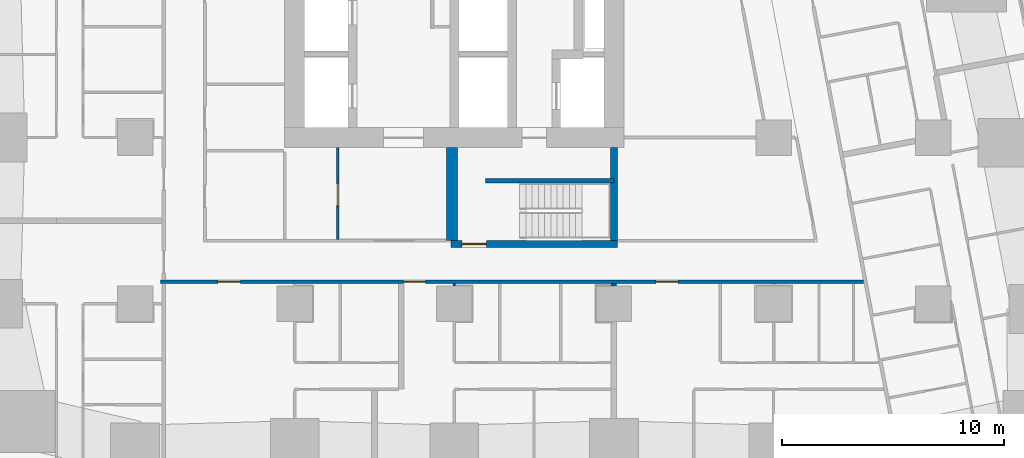
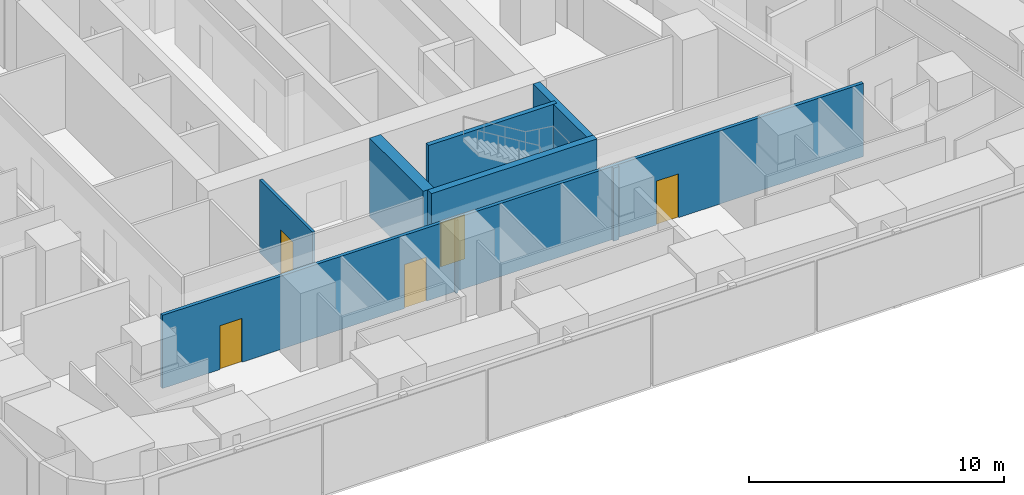
# One storey, part 4 of 17: 8 walls, 5 doors, 5 openings.
"""IFC4 building model written with IfcOpenShell, lengths in metres."""

from ifc_helpers import new_model, si_unit, direction, frame, frame_2d, origin, place, context, subcontext, project, spatial, rectangle, extrude, material, layer, layer_set, type_object, element, fill, save


model = new_model("IFC4")

# Units and contexts
model_context = context("Model", 3, precision=1e-05, world=origin(), true_north=direction((0.0, 1.0)))
body_context = subcontext(model_context, "Body", "Model", "MODEL_VIEW")
ifc_project = project(units=[si_unit("LENGTHUNIT", "METRE"), si_unit("AREAUNIT", "SQUARE_METRE"), si_unit("VOLUMEUNIT", "CUBIC_METRE"), si_unit("PLANEANGLEUNIT", "RADIAN"), si_unit("MASSUNIT", "GRAM", prefix="KILO")], contexts=[model_context])

# Site, building, storey
site_placement = place(None, origin())
site = spatial("IfcSite", under=ifc_project, at=site_placement, CompositionType="ELEMENT")
building_placement = place(site_placement, origin())
building = spatial("IfcBuilding", under=site, at=building_placement, Name="Sheger Commons Tower", CompositionType="ELEMENT")
storey_placement = place(building_placement, frame((0.0, 0.0, 115.39990234375)))
storey = spatial("IfcBuildingStorey", under=building, at=storey_placement, Name="L29", CompositionType="ELEMENT", Elevation=115.39990234375)

# Wall, openings, doors
ifc_material_1 = material(Name="Hollow concrete block masonry, skimmed both sides", Category="masonry")
ifc_layer_1 = layer(ifc_material_1, 0.14990234375)
ifc_layer_set_1 = layer_set([ifc_layer_1], Name="CORRIDOR WALL 150")
wall_type_1 = type_object("IfcWallType", Name="CORRIDOR WALL 150", PredefinedType="SOLIDWALL", material=ifc_layer_set_1)
wall_1_placement = place(storey_placement, frame((40.052978515625, 8.5, 0.0), z_axis=(0.0, 0.0, 1.0), x_axis=(-1.0, 0.0, 0.0)))
wall_1 = element("IfcWall", 1, at=wall_1_placement, inside=storey, type_object=wall_type_1, Name="Corridor wall L29", PredefinedType="SOLIDWALL", context=body_context, shape_type="SweptSolid", body=[
    extrude(rectangle(XDim=31.702880859375, YDim=0.14990234375, at=frame_2d((15.8515625, 0.0))), origin(), (0.0, 0.0, 1.0), 3.5),
])
opening_1_placement = place(wall_1_placement, frame((28.10302734375, 0.0, 0.0)))
opening_1 = element("IfcOpeningElement", 2, at=opening_1_placement, cuts=wall_1, Name="Opening D1", PredefinedType="OPENING", context=body_context, shape_type="SweptSolid", body=[
    extrude(rectangle(XDim=1.0, YDim=2.10009765625, at=frame_2d((0.5, 1.050048828125))), frame((0.0, 0.0849609375, 0.0), z_axis=(0.0, -1.0, 0.0), x_axis=(1.0, 0.0, 0.0)), (0.0, 0.0, 1.0), 0.169921875),
])
opening_2_placement = place(wall_1_placement, frame((19.75390625, 0.0, 0.0)))
opening_2 = element("IfcOpeningElement", 3, at=opening_2_placement, cuts=wall_1, Name="Opening D1", PredefinedType="OPENING", context=body_context, shape_type="SweptSolid", body=[
    extrude(rectangle(XDim=1.0, YDim=2.10009765625, at=frame_2d((0.5, 1.050048828125))), frame((0.0, 0.0849609375, 0.0), z_axis=(0.0, -1.0, 0.0), x_axis=(1.0, 0.0, 0.0)), (0.0, 0.0, 1.0), 0.169921875),
])
opening_3_placement = place(wall_1_placement, frame((8.35302734375, 0.0, 0.0)))
opening_3 = element("IfcOpeningElement", 4, at=opening_3_placement, cuts=wall_1, Name="Opening D1", PredefinedType="OPENING", context=body_context, shape_type="SweptSolid", body=[
    extrude(rectangle(XDim=1.0, YDim=2.10009765625, at=frame_2d((0.5, 1.050048828125))), frame((0.0, 0.0849609375, 0.0), z_axis=(0.0, -1.0, 0.0), x_axis=(1.0, 0.0, 0.0)), (0.0, 0.0, 1.0), 0.169921875),
])
ifc_material_2 = material(Name="Steel door set, fire rated", Category="steel")
door_type_1 = type_object("IfcDoorType", Name="FLAT ENTRANCE DOOR 1000x2100", OperationType="NOTDEFINED", PredefinedType="DOOR", material=ifc_material_2)
door_1_placement = place(opening_1_placement, origin())
door_1 = element("IfcDoor", 5, at=door_1_placement, inside=storey, type_object=door_type_1, Name="Flat entrance door", OperationType="SINGLE_SWING_RIGHT", OverallHeight=2.10009765625, OverallWidth=1.0, PredefinedType="DOOR", context=body_context, shape_type="SweptSolid", body=[
    extrude(rectangle(XDim=1.0, YDim=2.10009765625, at=frame_2d((0.5, 1.050048828125))), frame((0.0, 0.02490234375, 0.0), z_axis=(0.0, -1.0, 0.0), x_axis=(1.0, 0.0, 0.0)), (0.0, 0.0, 1.0), 0.050048828125),
])
fill(opening_1, door_1)
door_2_placement = place(opening_2_placement, origin())
door_2 = element("IfcDoor", 6, at=door_2_placement, inside=storey, type_object=door_type_1, Name="Flat entrance door", OperationType="SINGLE_SWING_RIGHT", OverallHeight=2.10009765625, OverallWidth=1.0, PredefinedType="DOOR", context=body_context, shape_type="SweptSolid", body=[
    extrude(rectangle(XDim=1.0, YDim=2.10009765625, at=frame_2d((0.5, 1.050048828125))), frame((0.0, 0.02490234375, 0.0), z_axis=(0.0, -1.0, 0.0), x_axis=(1.0, 0.0, 0.0)), (0.0, 0.0, 1.0), 0.050048828125),
])
fill(opening_2, door_2)
door_3_placement = place(opening_3_placement, origin())
door_3 = element("IfcDoor", 7, at=door_3_placement, inside=storey, type_object=door_type_1, Name="Flat entrance door", OperationType="SINGLE_SWING_RIGHT", OverallHeight=2.10009765625, OverallWidth=1.0, PredefinedType="DOOR", context=body_context, shape_type="SweptSolid", body=[
    extrude(rectangle(XDim=1.0, YDim=2.10009765625, at=frame_2d((0.5, 1.050048828125))), frame((0.0, 0.02490234375, 0.0), z_axis=(0.0, -1.0, 0.0), x_axis=(1.0, 0.0, 0.0)), (0.0, 0.0, 1.0), 0.050048828125),
])
fill(opening_3, door_3)

# Walls
ifc_material_3 = material(Name="Dense concrete block masonry, plastered both sides (separating wall between flats)", Category="masonry")
ifc_layer_2 = layer(ifc_material_3, 0.25)
ifc_layer_set_2 = layer_set([ifc_layer_2], Name="DEMISING WALL 250")
wall_type_2 = type_object("IfcWallType", Name="DEMISING WALL 250", PredefinedType="SOLIDWALL", material=ifc_layer_set_2)
wall_2_placement = place(storey_placement, frame((28.800048828125, 8.301025390625, 0.0), z_axis=(0.0, 0.0, 1.0), x_axis=(0.0, 1.0, 0.0)))
element("IfcWall", 8, at=wall_2_placement, inside=storey, type_object=wall_type_2, Name="Demising wall L29", PredefinedType="SOLIDWALL", context=body_context, shape_type="SweptSolid", body=[
    extrude(rectangle(XDim=0.1240234375, YDim=0.25, at=frame_2d((0.06201171875, 0.0))), origin(), (0.0, 0.0, 1.0), 3.5),
])
ifc_material_4 = material(Name="Gypsum board on steel studs", Category="steel")
ifc_layer_3 = layer(ifc_material_4, 0.10009765625)
ifc_layer_set_3 = layer_set([ifc_layer_3], Name="PARTITION 100")
wall_type_3 = type_object("IfcWallType", Name="PARTITION 100", PredefinedType="PARTITIONING", material=ifc_layer_set_3)
wall_3_placement = place(storey_placement, frame((21.60009765625, 8.301025390625, 0.0), z_axis=(0.0, 0.0, 1.0), x_axis=(0.0, 1.0, 0.0)))
element("IfcWall", 9, at=wall_3_placement, inside=storey, type_object=wall_type_3, Name="Partition L29", PredefinedType="PARTITIONING", context=body_context, shape_type="SweptSolid", body=[
    extrude(rectangle(XDim=0.1240234375, YDim=0.10009765625, at=frame_2d((0.06201171875, 0.0))), origin(), (0.0, 0.0, 1.0), 3.5),
])

# Wall, opening, door
ifc_material_5 = material(Name="Gypsum board on steel studs, two layers each side, fire rated", Category="steel")
ifc_layer_4 = layer(ifc_material_5, 0.125)
ifc_layer_set_4 = layer_set([ifc_layer_4], Name="SERVICE WALL 125")
wall_type_4 = type_object("IfcWallType", Name="SERVICE WALL 125", PredefinedType="PARTITIONING", material=ifc_layer_set_4)
wall_4_placement = place(storey_placement, frame((16.340087890625, 10.4130859375, 0.0), z_axis=(0.0, 0.0, 1.0), x_axis=(0.0, 1.0, 0.0)))
wall_4 = element("IfcWall", 10, at=wall_4_placement, inside=storey, type_object=wall_type_4, Name="Service room wall L29", PredefinedType="PARTITIONING", context=body_context, shape_type="SweptSolid", body=[
    extrude(rectangle(XDim=4.136962890625, YDim=0.125, at=frame_2d((2.068359375, 0.0))), origin(), (0.0, 0.0, 1.0), 3.5),
])
opening_4_placement = place(wall_4_placement, frame((1.511962890625, 0.0, 0.0)))
opening_4 = element("IfcOpeningElement", 11, at=opening_4_placement, cuts=wall_4, Name="Opening D4", PredefinedType="OPENING", context=body_context, shape_type="SweptSolid", body=[
    extrude(rectangle(XDim=1.0, YDim=2.10009765625, at=frame_2d((0.5, 1.050048828125))), frame((0.0, 0.072509765625, 0.0), z_axis=(0.0, -1.0, 0.0), x_axis=(1.0, 0.0, 0.0)), (0.0, 0.0, 1.0), 0.14501953125),
])
ifc_material_6 = material(Name="Steel door set, fire rated", Category="steel")
door_type_2 = type_object("IfcDoorType", Name="SERVICE DOOR 1000x2100", OperationType="NOTDEFINED", PredefinedType="DOOR", material=ifc_material_6)
door_4_placement = place(opening_4_placement, origin())
door_4 = element("IfcDoor", 12, at=door_4_placement, inside=storey, type_object=door_type_2, Name="Electrical room door", OperationType="SINGLE_SWING_LEFT", OverallHeight=2.10009765625, OverallWidth=1.0, PredefinedType="DOOR", context=body_context, shape_type="SweptSolid", body=[
    extrude(rectangle(XDim=1.0, YDim=2.10009765625, at=frame_2d((0.5, 1.050048828125))), frame((0.0, 0.02490234375, 0.0), z_axis=(0.0, -1.0, 0.0), x_axis=(1.0, 0.0, 0.0)), (0.0, 0.0, 1.0), 0.050048828125),
])
fill(opening_4, door_4)

ifc_material_7 = material(Name="Concrete C50/60", Category="concrete")
ifc_layer_5 = layer(ifc_material_7, 0.300048828125)
ifc_layer_set_5 = layer_set([ifc_layer_5], Name="STAIR CORE WALL 300")
wall_type_5 = type_object("IfcWallType", Name="STAIR CORE WALL 300", PredefinedType="SHEAR", material=ifc_layer_set_5)
wall_5_placement = place(storey_placement, frame((21.449951171875, 10.199951171875, 0.0), z_axis=(0.0, 0.0, 1.0), x_axis=(1.0, 0.0, 0.0)))
wall_5 = element("IfcWall", 13, at=wall_5_placement, inside=storey, type_object=wall_type_5, Name="STW-L29-S1S", PredefinedType="SHEAR", context=body_context, shape_type="SweptSolid", body=[
    extrude(rectangle(XDim=7.5, YDim=0.300048828125, at=frame_2d((3.75, 0.0))), origin(), (0.0, 0.0, 1.0), 3.75),
])
opening_5_placement = place(wall_5_placement, frame((0.5, 0.0, 0.0)))
opening_5 = element("IfcOpeningElement", 14, at=opening_5_placement, cuts=wall_5, Name="Opening D5", PredefinedType="OPENING", context=body_context, shape_type="SweptSolid", body=[
    extrude(rectangle(XDim=1.10009765625, YDim=2.10009765625, at=frame_2d((0.550048828125, 1.050048828125))), frame((0.0, 0.159912109375, 0.0), z_axis=(0.0, -1.0, 0.0), x_axis=(1.0, 0.0, 0.0)), (0.0, 0.0, 1.0), 0.320068359375),
])
ifc_material_8 = material(Name="Steel door set, fire rated", Category="steel")
door_type_3 = type_object("IfcDoorType", Name="STAIR DOOR 1100x2100", OperationType="NOTDEFINED", PredefinedType="DOOR", material=ifc_material_8)
door_5_placement = place(opening_5_placement, origin())
door_5 = element("IfcDoor", 15, at=door_5_placement, inside=storey, type_object=door_type_3, Name="Stair S1 door", OperationType="SINGLE_SWING_LEFT", OverallHeight=2.10009765625, OverallWidth=1.10009765625, PredefinedType="DOOR", context=body_context, shape_type="SweptSolid", body=[
    extrude(rectangle(XDim=1.10009765625, YDim=2.10009765625, at=frame_2d((0.550048828125, 1.050048828125))), frame((0.0, 0.02490234375, 0.0), z_axis=(0.0, -1.0, 0.0), x_axis=(1.0, 0.0, 0.0)), (0.0, 0.0, 1.0), 0.050048828125),
])
fill(opening_5, door_5)

# Walls
wall_6_placement = place(storey_placement, frame((28.800048828125, 10.35009765625, 0.0), z_axis=(0.0, 0.0, 1.0), x_axis=(0.0, 1.0, 0.0)))
element("IfcWall", 16, at=wall_6_placement, inside=storey, type_object=wall_type_5, Name="STW-L29-S1E", PredefinedType="SHEAR", context=body_context, shape_type="SweptSolid", body=[
    extrude(rectangle(XDim=4.199951171875, YDim=0.300048828125, at=frame_2d((2.10009765625, 0.0))), origin(), (0.0, 0.0, 1.0), 3.75),
])
ifc_material_9 = material(Name="Concrete C50/60", Category="concrete")
ifc_layer_6 = layer(ifc_material_9, 0.5)
ifc_layer_set_6 = layer_set([ifc_layer_6], Name="STAIR CORE WALL 500")
wall_type_6 = type_object("IfcWallType", Name="STAIR CORE WALL 500", PredefinedType="SHEAR", material=ifc_layer_set_6)
wall_7_placement = place(storey_placement, frame((21.5, 10.35009765625, 0.0), z_axis=(0.0, 0.0, 1.0), x_axis=(0.0, 1.0, 0.0)))
element("IfcWall", 17, at=wall_7_placement, inside=storey, type_object=wall_type_6, Name="STW-L29-S1W", PredefinedType="SHEAR", context=body_context, shape_type="SweptSolid", body=[
    extrude(rectangle(XDim=4.199951171875, YDim=0.5, at=frame_2d((2.10009765625, 0.0))), origin(), (0.0, 0.0, 1.0), 3.75),
])
ifc_material_10 = material(Name="Concrete C50/60", Category="concrete")
ifc_layer_7 = layer(ifc_material_10, 0.199951171875)
ifc_layer_set_7 = layer_set([ifc_layer_7], Name="STAIR SPINE WALL 200")
wall_type_7 = type_object("IfcWallType", Name="STAIR SPINE WALL 200", PredefinedType="SHEAR", material=ifc_layer_set_7)
wall_8_placement = place(storey_placement, frame((23.0, 13.050048828125, 0.0), z_axis=(0.0, 0.0, 1.0), x_axis=(1.0, 0.0, 0.0)))
element("IfcWall", 18, at=wall_8_placement, inside=storey, type_object=wall_type_7, Name="Stair spine wall L29", PredefinedType="SHEAR", context=body_context, shape_type="SweptSolid", body=[
    extrude(rectangle(XDim=5.800048828125, YDim=0.199951171875, at=frame_2d((2.89990234375, 0.0))), origin(), (0.0, 0.0, 1.0), 3.75),
])

save(model, "model.ifc")
